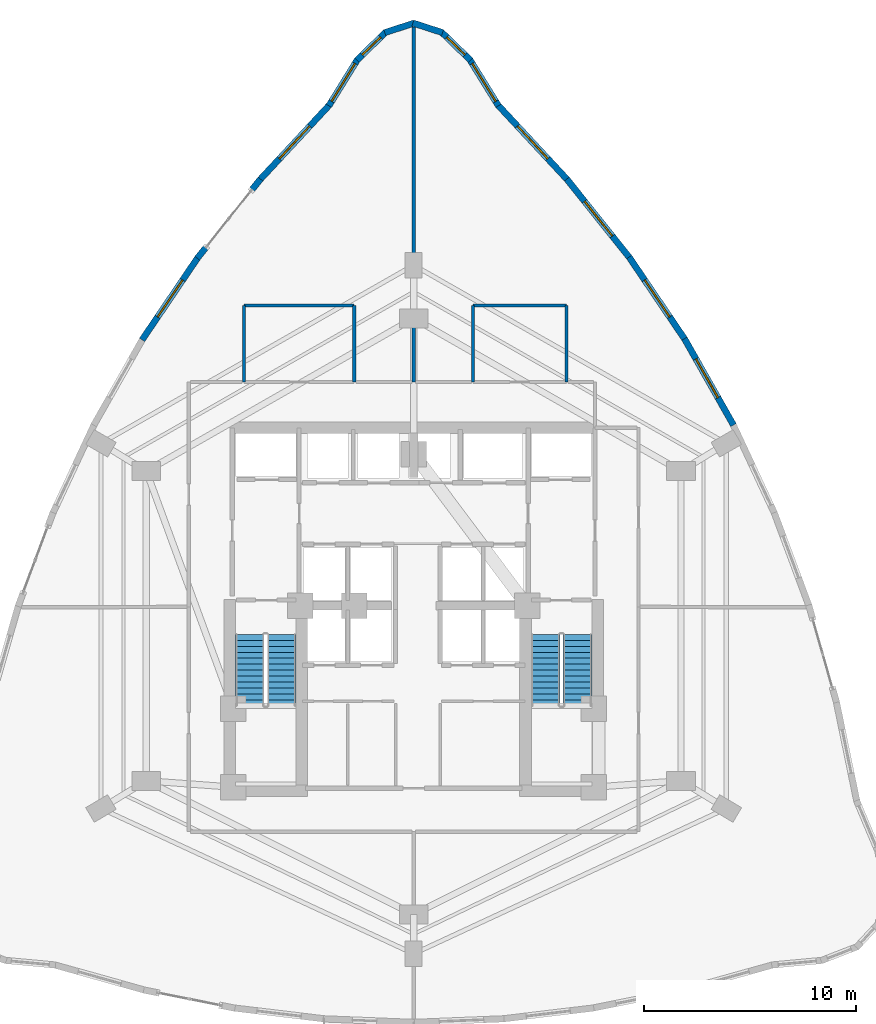
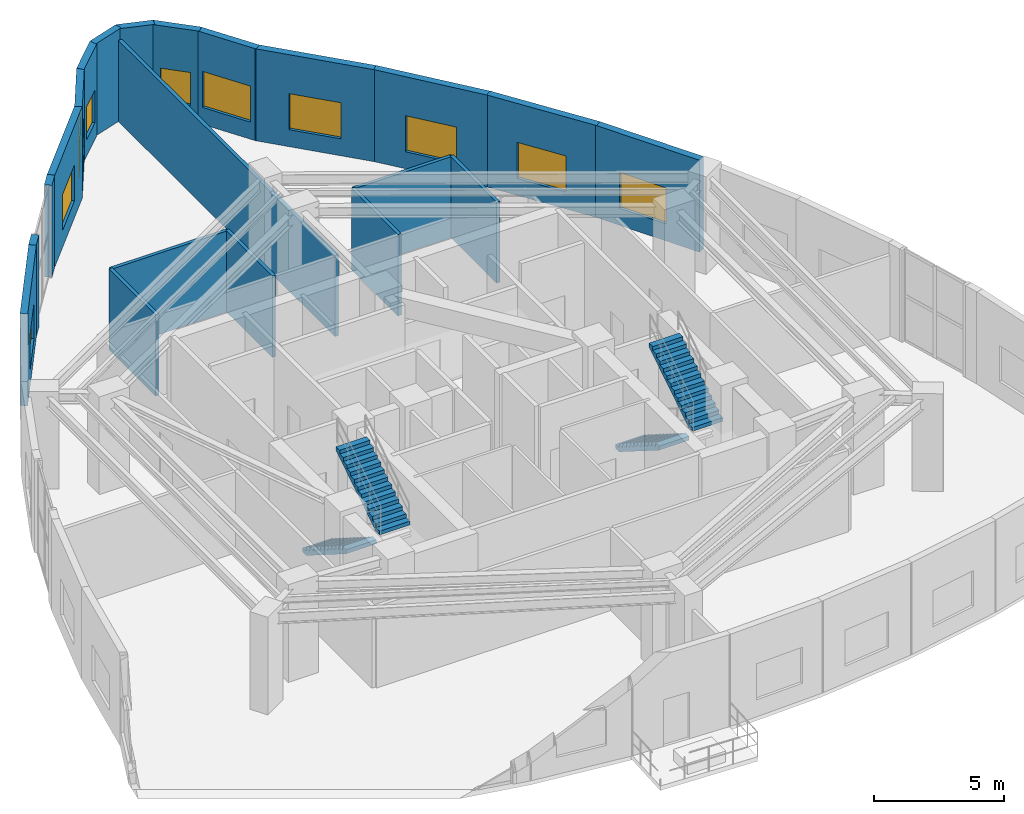
# One storey, part 16 of 17: 21 walls, 10 windows, 4 stair flights, 10 openings, 2 elements without a shape of their own.
"""IFC4 building model written with IfcOpenShell, lengths in metres."""

from ifc_helpers import new_model, si_unit, direction, frame, frame_2d, origin, place, context, subcontext, project, spatial, polyline, rectangle, outline, extrude, material, layer, layer_set, type_object, element, fill, aggregate, save


model = new_model("IFC4")

# Units and contexts
model_context = context("Model", 3, precision=1e-05, world=origin(), true_north=direction((0.0, 1.0)))
body_context = subcontext(model_context, "Body", "Model", "MODEL_VIEW")
ifc_project = project(units=[si_unit("LENGTHUNIT", "METRE"), si_unit("AREAUNIT", "SQUARE_METRE"), si_unit("VOLUMEUNIT", "CUBIC_METRE"), si_unit("PLANEANGLEUNIT", "RADIAN"), si_unit("MASSUNIT", "GRAM", prefix="KILO")], contexts=[model_context])

# Site, building, storey
site_placement = place(None, origin())
site = spatial("IfcSite", under=ifc_project, at=site_placement, CompositionType="ELEMENT")
building_placement = place(site_placement, origin())
building = spatial("IfcBuilding", under=site, at=building_placement, Name="Miruveldt Soraemaru", CompositionType="ELEMENT")
storey_placement = place(building_placement, frame((0.0, 0.0, 95.800048828125)))
storey = spatial("IfcBuildingStorey", under=building, at=storey_placement, Name="L26", CompositionType="ELEMENT", Elevation=95.800048828125)

# Wall, opening, window
ifc_material_1 = material(Name="Precast concrete C45/55 (45 MPa)", Category="concrete")
ifc_layer_1 = layer(ifc_material_1, 0.300048828125, Name="Precast concrete C45/55 (45 MPa)", Category="concrete")
ifc_layer_set_1 = layer_set([ifc_layer_1], Name="Precast concrete C45/55 (45 MPa)")
wall_type_1 = type_object("IfcWallType", Name="WALL-EXT-PC300", PredefinedType="SOLIDWALL", material=ifc_layer_set_1)
wall_1_placement = place(storey_placement, frame((47.99853515625, 67.6201171875, 0.0), z_axis=(0.0, 0.0, 1.0), x_axis=(-0.526056259518, 0.850449770311, 0.0)))
wall_1 = element("IfcWall", 1, at=wall_1_placement, inside=storey, type_object=wall_type_1, Name="L26 Precast Concrete Facade Wall 1", PredefinedType="SOLIDWALL", context=body_context, shape_type="SweptSolid", body=[
    extrude(rectangle(XDim=2.592041015625, YDim=0.300048828125, at=frame_2d((1.2958984375, 0.0))), origin(), (0.0, 0.0, 1.0), 4.3349609375),
])
opening_1_placement = place(wall_1_placement, frame((0.24609375, 0.0, 0.800048828125)))
opening_1 = element("IfcOpeningElement", 2, at=opening_1_placement, cuts=wall_1, Name="Opening WN-1", PredefinedType="OPENING", context=body_context, shape_type="SweptSolid", body=[
    extrude(rectangle(XDim=2.10009765625, YDim=1.699951171875, at=frame_2d((1.050048828125, 0.85009765625))), frame((0.0, 0.16015625, 0.0), z_axis=(0.0, -1.0, 0.0), x_axis=(1.0, 0.0, 0.0)), (0.0, 0.0, 1.0), 0.320068359375),
])
ifc_material_2 = material(Name="Triple low-e insulated glazing", Category="glass")
window_type_1 = type_object("IfcWindowType", Name="WIN-PUNCH-2100x1700", PartitioningType="SINGLE_PANEL", PredefinedType="WINDOW", material=ifc_material_2)
window_1_placement = place(opening_1_placement, origin())
window_1 = element("IfcWindow", 3, at=window_1_placement, inside=storey, type_object=window_type_1, Name="L26 Punched Triple-Glazed Window 01.1", OverallHeight=1.699951171875, OverallWidth=2.10009765625, PartitioningType="SINGLE_PANEL", PredefinedType="WINDOW", context=body_context, shape_type="SweptSolid", body=[
    extrude(rectangle(XDim=2.10009765625, YDim=1.699951171875, at=frame_2d((1.050048828125, 0.85009765625))), frame((0.0, 0.030029296875, 0.0), z_axis=(0.0, -1.0, 0.0), x_axis=(1.0, 0.0, 0.0)), (0.0, 0.0, 1.0), 0.06005859375),
])
fill(opening_1, window_1)

wall_2_placement = place(storey_placement, frame((46.678466796875, 69.770263671875, 0.0), z_axis=(0.0, 0.0, 1.0), x_axis=(-0.717842565149, 0.696205466554, 0.0)))
wall_2 = element("IfcWall", 4, at=wall_2_placement, inside=storey, type_object=wall_type_1, Name="L26 Precast Concrete Facade Wall 2", PredefinedType="SOLIDWALL", context=body_context, shape_type="SweptSolid", body=[
    extrude(rectangle(XDim=1.918212890625, YDim=0.300048828125, at=frame_2d((0.958984375, 0.0))), origin(), (0.0, 0.0, 1.0), 4.3349609375),
])
opening_2_placement = place(wall_2_placement, frame((0.35888671875, 0.0, 0.780029296875)))
opening_2 = element("IfcOpeningElement", 5, at=opening_2_placement, cuts=wall_2, Name="Opening WN-4", PredefinedType="OPENING", context=body_context, shape_type="SweptSolid", body=[
    extrude(rectangle(XDim=1.199951171875, YDim=1.550048828125, at=frame_2d((0.60009765625, 0.77490234375))), frame((0.0, 0.16015625, 0.0), z_axis=(0.0, -1.0, 0.0), x_axis=(1.0, 0.0, 0.0)), (0.0, 0.0, 1.0), 0.320068359375),
])
window_type_2 = type_object("IfcWindowType", Name="WIN-PUNCH-1200x1550", PartitioningType="SINGLE_PANEL", PredefinedType="WINDOW", material=ifc_material_2)
window_2_placement = place(opening_2_placement, origin())
window_2 = element("IfcWindow", 6, at=window_2_placement, inside=storey, type_object=window_type_2, Name="L26 Punched Triple-Glazed Window 02.1", OverallHeight=1.550048828125, OverallWidth=1.199951171875, PartitioningType="SINGLE_PANEL", PredefinedType="WINDOW", context=body_context, shape_type="SweptSolid", body=[
    extrude(rectangle(XDim=1.199951171875, YDim=1.550048828125, at=frame_2d((0.60009765625, 0.77490234375))), frame((0.0, 0.030029296875, 0.0), z_axis=(0.0, -1.0, 0.0), x_axis=(1.0, 0.0, 0.0)), (0.0, 0.0, 1.0), 0.06005859375),
])
fill(opening_2, window_2)

# Walls
for number, where, z_axis, x_axis, name in (
    (7, (45.360107421875, 71.070556640625, 0.0), (0.0, 0.0, 1.0), (-0.951463186157, 0.307762579577, 0.0), "L26 Precast Concrete Facade Wall 3"),
    (8, (44.033203125, 71.521240234375, 0.0), (0.0, 0.0, 1.0), (-0.951463186157, -0.307762579577, 0.0), "L26 Precast Concrete Facade Wall 4"),
):
    element("IfcWall", number, at=place(storey_placement, frame(where, z_axis=z_axis, x_axis=x_axis)), inside=storey, type_object=wall_type_1, Name=name, PredefinedType="SOLIDWALL", context=body_context, shape_type="SweptSolid", body=[
        extrude(rectangle(XDim=1.46435546875, YDim=0.300048828125, at=frame_2d((0.732177734375, 0.0))), origin(), (0.0, 0.0, 1.0), 4.3349609375),
    ])

# Wall, opening, window
wall_3_placement = place(storey_placement, frame((42.698486328125, 71.105712890625, 0.0), z_axis=(0.0, 0.0, 1.0), x_axis=(-0.717842565149, -0.696205466554, 0.0)))
wall_3 = element("IfcWall", 9, at=wall_3_placement, inside=storey, type_object=wall_type_1, Name="L26 Precast Concrete Facade Wall 5", PredefinedType="SOLIDWALL", context=body_context, shape_type="SweptSolid", body=[
    extrude(rectangle(XDim=1.918212890625, YDim=0.300048828125, at=frame_2d((0.958984375, 0.0))), origin(), (0.0, 0.0, 1.0), 4.3349609375),
])
opening_3_placement = place(wall_3_placement, frame((0.35888671875, 0.0, 0.780029296875)))
opening_3 = element("IfcOpeningElement", 10, at=opening_3_placement, cuts=wall_3, Name="Opening WN-4", PredefinedType="OPENING", context=body_context, shape_type="SweptSolid", body=[
    extrude(rectangle(XDim=1.199951171875, YDim=1.550048828125, at=frame_2d((0.60009765625, 0.77490234375))), frame((0.0, 0.16015625, 0.0), z_axis=(0.0, -1.0, 0.0), x_axis=(1.0, 0.0, 0.0)), (0.0, 0.0, 1.0), 0.320068359375),
])
window_3_placement = place(opening_3_placement, origin())
window_3 = element("IfcWindow", 11, at=window_3_placement, inside=storey, type_object=window_type_2, Name="L26 Punched Triple-Glazed Window 05.1", OverallHeight=1.550048828125, OverallWidth=1.199951171875, PartitioningType="SINGLE_PANEL", PredefinedType="WINDOW", context=body_context, shape_type="SweptSolid", body=[
    extrude(rectangle(XDim=1.199951171875, YDim=1.550048828125, at=frame_2d((0.60009765625, 0.77490234375))), frame((0.0, 0.030029296875, 0.0), z_axis=(0.0, -1.0, 0.0), x_axis=(1.0, 0.0, 0.0)), (0.0, 0.0, 1.0), 0.06005859375),
])
fill(opening_3, window_3)

wall_4_placement = place(storey_placement, frame((41.364990234375, 69.824462890625, 0.0), z_axis=(0.0, 0.0, 1.0), x_axis=(-0.526056259518, -0.850449770311, 0.0)))
wall_4 = element("IfcWall", 12, at=wall_4_placement, inside=storey, type_object=wall_type_1, Name="L26 Precast Concrete Facade Wall 6", PredefinedType="SOLIDWALL", context=body_context, shape_type="SweptSolid", body=[
    extrude(rectangle(XDim=2.592041015625, YDim=0.300048828125, at=frame_2d((1.2958984375, 0.0))), origin(), (0.0, 0.0, 1.0), 4.3349609375),
])
opening_4_placement = place(wall_4_placement, frame((0.24609375, 0.0, 0.800048828125)))
opening_4 = element("IfcOpeningElement", 13, at=opening_4_placement, cuts=wall_4, Name="Opening WN-1", PredefinedType="OPENING", context=body_context, shape_type="SweptSolid", body=[
    extrude(rectangle(XDim=2.10009765625, YDim=1.699951171875, at=frame_2d((1.050048828125, 0.85009765625))), frame((0.0, 0.16015625, 0.0), z_axis=(0.0, -1.0, 0.0), x_axis=(1.0, 0.0, 0.0)), (0.0, 0.0, 1.0), 0.320068359375),
])
window_4_placement = place(opening_4_placement, origin())
window_4 = element("IfcWindow", 14, at=window_4_placement, inside=storey, type_object=window_type_1, Name="L26 Punched Triple-Glazed Window 06.1", OverallHeight=1.699951171875, OverallWidth=2.10009765625, PartitioningType="SINGLE_PANEL", PredefinedType="WINDOW", context=body_context, shape_type="SweptSolid", body=[
    extrude(rectangle(XDim=2.10009765625, YDim=1.699951171875, at=frame_2d((1.050048828125, 0.85009765625))), frame((0.0, 0.030029296875, 0.0), z_axis=(0.0, -1.0, 0.0), x_axis=(1.0, 0.0, 0.0)), (0.0, 0.0, 1.0), 0.06005859375),
])
fill(opening_4, window_4)

wall_5_placement = place(storey_placement, frame((40.043701171875, 67.675537109375, 0.0), z_axis=(0.0, 0.0, 1.0), x_axis=(-0.680878544564, -0.732396345944, 0.0)))
wall_5 = element("IfcWall", 15, at=wall_5_placement, inside=storey, type_object=wall_type_1, Name="L26 Precast Concrete Facade Wall 7", PredefinedType="SOLIDWALL", context=body_context, shape_type="SweptSolid", body=[
    extrude(rectangle(XDim=4.862060546875, YDim=0.300048828125, at=frame_2d((2.43115234375, 0.0))), origin(), (0.0, 0.0, 1.0), 4.3349609375),
])
opening_5_placement = place(wall_5_placement, frame((1.381103515625, 0.0, 0.800048828125)))
opening_5 = element("IfcOpeningElement", 16, at=opening_5_placement, cuts=wall_5, Name="Opening WN-1", PredefinedType="OPENING", context=body_context, shape_type="SweptSolid", body=[
    extrude(rectangle(XDim=2.10009765625, YDim=1.699951171875, at=frame_2d((1.050048828125, 0.85009765625))), frame((0.0, 0.16015625, 0.0), z_axis=(0.0, -1.0, 0.0), x_axis=(1.0, 0.0, 0.0)), (0.0, 0.0, 1.0), 0.320068359375),
])
window_5_placement = place(opening_5_placement, origin())
window_5 = element("IfcWindow", 17, at=window_5_placement, inside=storey, type_object=window_type_1, Name="L26 Punched Triple-Glazed Window 07.1", OverallHeight=1.699951171875, OverallWidth=2.10009765625, PartitioningType="SINGLE_PANEL", PredefinedType="WINDOW", context=body_context, shape_type="SweptSolid", body=[
    extrude(rectangle(XDim=2.10009765625, YDim=1.699951171875, at=frame_2d((1.050048828125, 0.85009765625))), frame((0.0, 0.030029296875, 0.0), z_axis=(0.0, -1.0, 0.0), x_axis=(1.0, 0.0, 0.0)), (0.0, 0.0, 1.0), 0.06005859375),
])
fill(opening_5, window_5)

# Walls
for number, where, z_axis, x_axis, name in (
    (18, (36.77880859375, 64.16748046875, 0.0), (0.0, 0.0, 1.0), (-0.623554366926, -0.781779989183, 0.0), "L26 Precast Pier Left 8"),
    (19, (34.239990234375, 60.985107421875, 0.0), (0.0, 0.0, 1.0), (-0.623554366926, -0.781779989183, 0.0), "L26 Precast Pier Right 8"),
):
    element("IfcWall", number, at=place(storey_placement, frame(where, z_axis=z_axis, x_axis=x_axis)), inside=storey, type_object=wall_type_1, Name=name, PredefinedType="SOLIDWALL", context=body_context, shape_type="SweptSolid", body=[
        extrude(rectangle(XDim=0.705078125, YDim=0.300048828125, at=frame_2d((0.3525390625, 0.0))), origin(), (0.0, 0.0, 1.0), 4.3349609375),
    ])

# Wall, opening, window
wall_6_placement = place(storey_placement, frame((33.841796875, 60.490234375, 0.0), z_axis=(0.0, 0.0, 1.0), x_axis=(-0.560847000951, -0.827919465603, 0.0)))
wall_6 = element("IfcWall", 20, at=wall_6_placement, inside=storey, type_object=wall_type_1, Name="L26 Precast Concrete Facade Wall 9", PredefinedType="SOLIDWALL", context=body_context, shape_type="SweptSolid", body=[
    extrude(rectangle(XDim=4.7177734375, YDim=0.300048828125, at=frame_2d((2.35888671875, 0.0))), origin(), (0.0, 0.0, 1.0), 4.3349609375),
])
opening_6_placement = place(wall_6_placement, frame((1.30908203125, 0.0, 0.800048828125)))
opening_6 = element("IfcOpeningElement", 21, at=opening_6_placement, cuts=wall_6, Name="Opening WN-1", PredefinedType="OPENING", context=body_context, shape_type="SweptSolid", body=[
    extrude(rectangle(XDim=2.10009765625, YDim=1.699951171875, at=frame_2d((1.050048828125, 0.85009765625))), frame((0.0, 0.16015625, 0.0), z_axis=(0.0, -1.0, 0.0), x_axis=(1.0, 0.0, 0.0)), (0.0, 0.0, 1.0), 0.320068359375),
])
window_6_placement = place(opening_6_placement, origin())
window_6 = element("IfcWindow", 22, at=window_6_placement, inside=storey, type_object=window_type_1, Name="L26 Punched Triple-Glazed Window 09.1", OverallHeight=1.699951171875, OverallWidth=2.10009765625, PartitioningType="SINGLE_PANEL", PredefinedType="WINDOW", context=body_context, shape_type="SweptSolid", body=[
    extrude(rectangle(XDim=2.10009765625, YDim=1.699951171875, at=frame_2d((1.050048828125, 0.85009765625))), frame((0.0, 0.030029296875, 0.0), z_axis=(0.0, -1.0, 0.0), x_axis=(1.0, 0.0, 0.0)), (0.0, 0.0, 1.0), 0.06005859375),
])
fill(opening_6, window_6)

wall_7_placement = place(storey_placement, frame((59.080322265625, 52.565673828125, 0.0), z_axis=(0.0, 0.0, 1.0), x_axis=(-0.493405379401, 0.869799477798, 0.0)))
wall_7 = element("IfcWall", 23, at=wall_7_placement, inside=storey, type_object=wall_type_1, Name="L26 Precast Concrete Facade Wall 39", PredefinedType="SOLIDWALL", context=body_context, shape_type="SweptSolid", body=[
    extrude(rectangle(XDim=4.688232421875, YDim=0.300048828125, at=frame_2d((2.34423828125, 0.0))), origin(), (0.0, 0.0, 1.0), 4.3349609375),
])
opening_7_placement = place(wall_7_placement, frame((1.488037109375, 0.0, 0.800048828125)))
opening_7 = element("IfcOpeningElement", 24, at=opening_7_placement, cuts=wall_7, Name="Opening WN-1", PredefinedType="OPENING", context=body_context, shape_type="SweptSolid", body=[
    extrude(rectangle(XDim=2.10009765625, YDim=1.699951171875, at=frame_2d((1.050048828125, 0.85009765625))), frame((0.0, 0.16015625, 0.0), z_axis=(0.0, -1.0, 0.0), x_axis=(1.0, 0.0, 0.0)), (0.0, 0.0, 1.0), 0.320068359375),
])
window_7_placement = place(opening_7_placement, origin())
window_7 = element("IfcWindow", 25, at=window_7_placement, inside=storey, type_object=window_type_1, Name="L26 Punched Triple-Glazed Window 39.1", OverallHeight=1.699951171875, OverallWidth=2.10009765625, PartitioningType="SINGLE_PANEL", PredefinedType="WINDOW", context=body_context, shape_type="SweptSolid", body=[
    extrude(rectangle(XDim=2.10009765625, YDim=1.699951171875, at=frame_2d((1.050048828125, 0.85009765625))), frame((0.0, 0.030029296875, 0.0), z_axis=(0.0, -1.0, 0.0), x_axis=(1.0, 0.0, 0.0)), (0.0, 0.0, 1.0), 0.06005859375),
])
fill(opening_7, window_7)

wall_8_placement = place(storey_placement, frame((56.80419921875, 56.584228515625, 0.0), z_axis=(0.0, 0.0, 1.0), x_axis=(-0.560847000951, 0.827919465603, 0.0)))
wall_8 = element("IfcWall", 26, at=wall_8_placement, inside=storey, type_object=wall_type_1, Name="L26 Precast Concrete Facade Wall 40", PredefinedType="SOLIDWALL", context=body_context, shape_type="SweptSolid", body=[
    extrude(rectangle(XDim=4.7177734375, YDim=0.300048828125, at=frame_2d((2.35888671875, 0.0))), origin(), (0.0, 0.0, 1.0), 4.3349609375),
])
opening_8_placement = place(wall_8_placement, frame((1.30908203125, 0.0, 0.800048828125)))
opening_8 = element("IfcOpeningElement", 27, at=opening_8_placement, cuts=wall_8, Name="Opening WN-1", PredefinedType="OPENING", context=body_context, shape_type="SweptSolid", body=[
    extrude(rectangle(XDim=2.10009765625, YDim=1.699951171875, at=frame_2d((1.050048828125, 0.85009765625))), frame((0.0, 0.16015625, 0.0), z_axis=(0.0, -1.0, 0.0), x_axis=(1.0, 0.0, 0.0)), (0.0, 0.0, 1.0), 0.320068359375),
])
window_8_placement = place(opening_8_placement, origin())
window_8 = element("IfcWindow", 28, at=window_8_placement, inside=storey, type_object=window_type_1, Name="L26 Punched Triple-Glazed Window 40.1", OverallHeight=1.699951171875, OverallWidth=2.10009765625, PartitioningType="SINGLE_PANEL", PredefinedType="WINDOW", context=body_context, shape_type="SweptSolid", body=[
    extrude(rectangle(XDim=2.10009765625, YDim=1.699951171875, at=frame_2d((1.050048828125, 0.85009765625))), frame((0.0, 0.030029296875, 0.0), z_axis=(0.0, -1.0, 0.0), x_axis=(1.0, 0.0, 0.0)), (0.0, 0.0, 1.0), 0.06005859375),
])
fill(opening_8, window_8)

wall_9_placement = place(storey_placement, frame((54.19970703125, 60.433837890625, 0.0), z_axis=(0.0, 0.0, 1.0), x_axis=(-0.623622257262, 0.781725834451, 0.0)))
wall_9 = element("IfcWall", 29, at=wall_9_placement, inside=storey, type_object=wall_type_1, Name="L26 Precast Concrete Facade Wall 41", PredefinedType="SOLIDWALL", context=body_context, shape_type="SweptSolid", body=[
    extrude(rectangle(XDim=4.776123046875, YDim=0.300048828125, at=frame_2d((2.38818359375, 0.0))), origin(), (0.0, 0.0, 1.0), 4.3349609375),
])
opening_9_placement = place(wall_9_placement, frame((1.337890625, 0.0, 0.800048828125)))
opening_9 = element("IfcOpeningElement", 30, at=opening_9_placement, cuts=wall_9, Name="Opening WN-1", PredefinedType="OPENING", context=body_context, shape_type="SweptSolid", body=[
    extrude(rectangle(XDim=2.10009765625, YDim=1.699951171875, at=frame_2d((1.050048828125, 0.85009765625))), frame((0.0, 0.16015625, 0.0), z_axis=(0.0, -1.0, 0.0), x_axis=(1.0, 0.0, 0.0)), (0.0, 0.0, 1.0), 0.320068359375),
])
window_9_placement = place(opening_9_placement, origin())
window_9 = element("IfcWindow", 31, at=window_9_placement, inside=storey, type_object=window_type_1, Name="L26 Punched Triple-Glazed Window 41.1", OverallHeight=1.699951171875, OverallWidth=2.10009765625, PartitioningType="SINGLE_PANEL", PredefinedType="WINDOW", context=body_context, shape_type="SweptSolid", body=[
    extrude(rectangle(XDim=2.10009765625, YDim=1.699951171875, at=frame_2d((1.050048828125, 0.85009765625))), frame((0.0, 0.030029296875, 0.0), z_axis=(0.0, -1.0, 0.0), x_axis=(1.0, 0.0, 0.0)), (0.0, 0.0, 1.0), 0.06005859375),
])
fill(opening_9, window_9)

wall_10_placement = place(storey_placement, frame((51.266845703125, 64.114501953125, 0.0), z_axis=(0.0, 0.0, 1.0), x_axis=(-0.680878544564, 0.732396345944, 0.0)))
wall_10 = element("IfcWall", 32, at=wall_10_placement, inside=storey, type_object=wall_type_1, Name="L26 Precast Concrete Facade Wall 42", PredefinedType="SOLIDWALL", context=body_context, shape_type="SweptSolid", body=[
    extrude(rectangle(XDim=4.862060546875, YDim=0.300048828125, at=frame_2d((2.43115234375, 0.0))), origin(), (0.0, 0.0, 1.0), 4.3349609375),
])
opening_10_placement = place(wall_10_placement, frame((1.381103515625, 0.0, 0.800048828125)))
opening_10 = element("IfcOpeningElement", 33, at=opening_10_placement, cuts=wall_10, Name="Opening WN-1", PredefinedType="OPENING", context=body_context, shape_type="SweptSolid", body=[
    extrude(rectangle(XDim=2.10009765625, YDim=1.699951171875, at=frame_2d((1.050048828125, 0.85009765625))), frame((0.0, 0.16015625, 0.0), z_axis=(0.0, -1.0, 0.0), x_axis=(1.0, 0.0, 0.0)), (0.0, 0.0, 1.0), 0.320068359375),
])
window_10_placement = place(opening_10_placement, origin())
window_10 = element("IfcWindow", 34, at=window_10_placement, inside=storey, type_object=window_type_1, Name="L26 Punched Triple-Glazed Window 42.1", OverallHeight=1.699951171875, OverallWidth=2.10009765625, PartitioningType="SINGLE_PANEL", PredefinedType="WINDOW", context=body_context, shape_type="SweptSolid", body=[
    extrude(rectangle(XDim=2.10009765625, YDim=1.699951171875, at=frame_2d((1.050048828125, 0.85009765625))), frame((0.0, 0.030029296875, 0.0), z_axis=(0.0, -1.0, 0.0), x_axis=(1.0, 0.0, 0.0)), (0.0, 0.0, 1.0), 0.06005859375),
])
fill(opening_10, window_10)

# Walls
ifc_material_3 = material(Name="Gypsum plasterboard lining", Category="gypsum")
ifc_layer_2 = layer(ifc_material_3, 0.14990234375, Name="Gypsum plasterboard lining", Category="gypsum")
ifc_layer_set_2 = layer_set([ifc_layer_2], Name="Gypsum plasterboard lining")
wall_type_2 = type_object("IfcWallType", Name="WALL-INT-PLUMB", PredefinedType="PLUMBINGWALL", material=ifc_layer_set_2)
wall_11_placement = place(storey_placement, frame((41.199951171875, 58.199951171875, 0.0), z_axis=(0.0, 0.0, 1.0), x_axis=(-1.0, 0.0, 0.0)))
element("IfcWall", 35, at=wall_11_placement, inside=storey, type_object=wall_type_2, Name="L26 Partition Wall 16", PredefinedType="PLUMBINGWALL", context=body_context, shape_type="SweptSolid", body=[
    extrude(rectangle(XDim=5.199951171875, YDim=0.14990234375, at=frame_2d((2.60009765625, 0.0))), origin(), (0.0, 0.0, 1.0), 3.822998046875),
])
wall_12_placement = place(storey_placement, frame((51.199951171875, 58.199951171875, 0.0), z_axis=(0.0, 0.0, 1.0), x_axis=(-1.0, 0.0, 0.0)))
element("IfcWall", 36, at=wall_12_placement, inside=storey, type_object=wall_type_2, Name="L26 Partition Wall 19", PredefinedType="PLUMBINGWALL", context=body_context, shape_type="SweptSolid", body=[
    extrude(rectangle(XDim=4.39990234375, YDim=0.14990234375, at=frame_2d((2.199951171875, 0.0))), origin(), (0.0, 0.0, 1.0), 3.822998046875),
])
wall_13_placement = place(storey_placement, frame((41.199951171875, 54.60009765625, 0.0), z_axis=(0.0, 0.0, 1.0), x_axis=(0.0, 1.0, 0.0)))
element("IfcWall", 37, at=wall_13_placement, inside=storey, type_object=wall_type_2, Name="L26 Partition Wall 15", PredefinedType="PLUMBINGWALL", context=body_context, shape_type="SweptSolid", body=[
    extrude(rectangle(XDim=3.599853515625, YDim=0.14990234375, at=frame_2d((1.7998046875, 0.0))), origin(), (0.0, 0.0, 1.0), 3.8349609375),
])
for number, where, z_axis, x_axis, name in (
    (38, (36.0, 58.199951171875, 0.0), (0.0, 0.0, 1.0), (0.0, -1.0, 0.0), "L26 Partition Wall 17"),
    (39, (51.199951171875, 54.60009765625, 0.0), (0.0, 0.0, 1.0), (0.0, 1.0, 0.0), "L26 Partition Wall 18"),
):
    element("IfcWall", number, at=place(storey_placement, frame(where, z_axis=z_axis, x_axis=x_axis)), inside=storey, type_object=wall_type_2, Name=name, PredefinedType="PLUMBINGWALL", context=body_context, shape_type="SweptSolid", body=[
        extrude(rectangle(XDim=3.599853515625, YDim=0.14990234375, at=frame_2d((1.7998046875, 0.0))), origin(), (0.0, 0.0, 1.0), 3.822998046875),
    ])
wall_14_placement = place(storey_placement, frame((46.800048828125, 58.199951171875, 0.0), z_axis=(0.0, 0.0, 1.0), x_axis=(0.0, -1.0, 0.0)))
element("IfcWall", 40, at=wall_14_placement, inside=storey, type_object=wall_type_2, Name="L26 Partition Wall 20", PredefinedType="PLUMBINGWALL", context=body_context, shape_type="SweptSolid", body=[
    extrude(rectangle(XDim=3.599853515625, YDim=0.14990234375, at=frame_2d((1.7998046875, 0.0))), origin(), (0.0, 0.0, 1.0), 3.8349609375),
])
ifc_material_4 = material(Name="Concrete C40/50 (40 MPa)", Category="concrete")
ifc_layer_3 = layer(ifc_material_4, 0.159912109375, Name="Concrete C40/50 (40 MPa)", Category="concrete")
ifc_layer_set_3 = layer_set([ifc_layer_3], Name="Concrete C40/50 (40 MPa)")
wall_type_3 = type_object("IfcWallType", Name="WALL-INT-RC160", PredefinedType="SOLIDWALL", material=ifc_layer_set_3)
wall_15_placement = place(storey_placement, frame((44.0, 54.60009765625, 0.0), z_axis=(0.0, 0.0, 1.0), x_axis=(0.0, 1.0, 0.0)))
element("IfcWall", 41, at=wall_15_placement, inside=storey, type_object=wall_type_3, Name="L26 Partition Wall 24", PredefinedType="SOLIDWALL", context=body_context, shape_type="SweptSolid", body=[
    extrude(rectangle(XDim=16.73681640625, YDim=0.159912109375, at=frame_2d((8.368408203125, 0.0))), origin(), (0.0, 0.0, 1.0), 3.822998046875),
])

# Stair, stair flights
stair_type = type_object("IfcStairType", Name="STAIR-DL-460", PredefinedType="HALF_TURN_STAIR", material=ifc_material_4)
stair_1_placement = place(storey_placement, origin())
stair_1 = element("IfcStair", 42, at=stair_1_placement, inside=storey, type_object=stair_type, Name="L26 Protected Exit Stair ST-1", PredefinedType="HALF_TURN_STAIR")
stair_flight_type = type_object("IfcStairFlightType", Name="SFL-DL-460", PredefinedType="STRAIGHT", material=ifc_material_4)
stair_flight_1_placement = place(storey_placement, frame((36.27490234375, 42.699951171875, 0.0), z_axis=(0.0, 0.0, 1.0), x_axis=(0.0, -1.0, 0.0)))
stair_flight_1 = element("IfcStairFlight", 43, at=stair_flight_1_placement, type_object=stair_flight_type, Name="ST-1 flight 1", NumberOfRisers=13, NumberOfTreads=12, PredefinedType="STRAIGHT", RiserHeight=0.176923077, TreadLength=0.28, context=body_context, shape_type="SweptSolid", body=[
    extrude(outline(polyline([(0.0, 0.0), (0.0, 0.177001953125), (0.280029296875, 0.177001953125), (0.280029296875, 0.353759765625), (0.56005859375, 0.353759765625), (0.56005859375, 0.53076171875), (0.840087890625, 0.53076171875), (0.840087890625, 0.707763671875), (1.1201171875, 0.707763671875), (1.1201171875, 0.884521484375), (1.39990234375, 0.884521484375), (1.39990234375, 1.0615234375), (1.679931640625, 1.0615234375), (1.679931640625, 1.238525390625), (1.9599609375, 1.238525390625), (1.9599609375, 1.415283203125), (2.239990234375, 1.415283203125), (2.239990234375, 1.59228515625), (2.52001953125, 1.59228515625), (2.52001953125, 1.769287109375), (2.800048828125, 1.769287109375), (2.800048828125, 1.946044921875), (3.080078125, 1.946044921875), (3.080078125, 2.123046875), (3.360107421875, 2.123046875), (3.360107421875, 2.300048828125), (3.360107421875, 1.933837890625), (0.29931640625, 0.0), (0.0, 0.0)])), frame((0.0, 0.675048828125, 0.0), z_axis=(0.0, -1.0, 0.0), x_axis=(1.0, 0.0, 0.0)), (0.0, 0.0, 1.0), 1.35009765625),
])
stair_flight_2_placement = place(storey_placement, frame((37.77490234375, 39.340087890625, 2.300048828125), z_axis=(0.0, 0.0, 1.0), x_axis=(0.0, 1.0, 0.0)))
stair_flight_2 = element("IfcStairFlight", 44, at=stair_flight_2_placement, type_object=stair_flight_type, Name="ST-1 flight 2", NumberOfRisers=13, NumberOfTreads=12, PredefinedType="STRAIGHT", RiserHeight=0.176923077, TreadLength=0.28, context=body_context, shape_type="SweptSolid", body=[
    extrude(outline(polyline([(0.0, 0.0), (0.0, 0.177001953125), (0.280029296875, 0.177001953125), (0.280029296875, 0.353759765625), (0.56005859375, 0.353759765625), (0.56005859375, 0.53076171875), (0.840087890625, 0.53076171875), (0.840087890625, 0.707763671875), (1.1201171875, 0.707763671875), (1.1201171875, 0.884521484375), (1.39990234375, 0.884521484375), (1.39990234375, 1.0615234375), (1.679931640625, 1.0615234375), (1.679931640625, 1.238525390625), (1.9599609375, 1.238525390625), (1.9599609375, 1.415283203125), (2.239990234375, 1.415283203125), (2.239990234375, 1.59228515625), (2.52001953125, 1.59228515625), (2.52001953125, 1.769287109375), (2.800048828125, 1.769287109375), (2.800048828125, 1.946044921875), (3.080078125, 1.946044921875), (3.080078125, 2.123046875), (3.360107421875, 2.123046875), (3.360107421875, 2.300048828125), (3.360107421875, 1.933837890625), (0.29931640625, 0.0), (0.0, 0.0)])), frame((0.0, 0.675048828125, 0.0), z_axis=(0.0, -1.0, 0.0), x_axis=(1.0, 0.0, 0.0)), (0.0, 0.0, 1.0), 1.35009765625),
])
aggregate(stair_1, [stair_flight_1, stair_flight_2])

stair_2_placement = place(storey_placement, origin())
stair_2 = element("IfcStair", 45, at=stair_2_placement, inside=storey, type_object=stair_type, Name="L26 Protected Exit Stair ST-2", PredefinedType="HALF_TURN_STAIR")
stair_flight_3_placement = place(storey_placement, frame((50.22509765625, 42.699951171875, 0.0), z_axis=(0.0, 0.0, 1.0), x_axis=(0.0, -1.0, 0.0)))
stair_flight_3 = element("IfcStairFlight", 46, at=stair_flight_3_placement, type_object=stair_flight_type, Name="ST-2 flight 1", NumberOfRisers=13, NumberOfTreads=12, PredefinedType="STRAIGHT", RiserHeight=0.176923077, TreadLength=0.28, context=body_context, shape_type="SweptSolid", body=[
    extrude(outline(polyline([(0.0, 0.0), (0.0, 0.177001953125), (0.280029296875, 0.177001953125), (0.280029296875, 0.353759765625), (0.56005859375, 0.353759765625), (0.56005859375, 0.53076171875), (0.840087890625, 0.53076171875), (0.840087890625, 0.707763671875), (1.1201171875, 0.707763671875), (1.1201171875, 0.884521484375), (1.39990234375, 0.884521484375), (1.39990234375, 1.0615234375), (1.679931640625, 1.0615234375), (1.679931640625, 1.238525390625), (1.9599609375, 1.238525390625), (1.9599609375, 1.415283203125), (2.239990234375, 1.415283203125), (2.239990234375, 1.59228515625), (2.52001953125, 1.59228515625), (2.52001953125, 1.769287109375), (2.800048828125, 1.769287109375), (2.800048828125, 1.946044921875), (3.080078125, 1.946044921875), (3.080078125, 2.123046875), (3.360107421875, 2.123046875), (3.360107421875, 2.300048828125), (3.360107421875, 1.933837890625), (0.29931640625, 0.0), (0.0, 0.0)])), frame((0.0, 0.675048828125, 0.0), z_axis=(0.0, -1.0, 0.0), x_axis=(1.0, 0.0, 0.0)), (0.0, 0.0, 1.0), 1.35009765625),
])
stair_flight_4_placement = place(storey_placement, frame((51.72509765625, 39.340087890625, 2.300048828125), z_axis=(0.0, 0.0, 1.0), x_axis=(0.0, 1.0, 0.0)))
stair_flight_4 = element("IfcStairFlight", 47, at=stair_flight_4_placement, type_object=stair_flight_type, Name="ST-2 flight 2", NumberOfRisers=13, NumberOfTreads=12, PredefinedType="STRAIGHT", RiserHeight=0.176923077, TreadLength=0.28, context=body_context, shape_type="SweptSolid", body=[
    extrude(outline(polyline([(0.0, 0.0), (0.0, 0.177001953125), (0.280029296875, 0.177001953125), (0.280029296875, 0.353759765625), (0.56005859375, 0.353759765625), (0.56005859375, 0.53076171875), (0.840087890625, 0.53076171875), (0.840087890625, 0.707763671875), (1.1201171875, 0.707763671875), (1.1201171875, 0.884521484375), (1.39990234375, 0.884521484375), (1.39990234375, 1.0615234375), (1.679931640625, 1.0615234375), (1.679931640625, 1.238525390625), (1.9599609375, 1.238525390625), (1.9599609375, 1.415283203125), (2.239990234375, 1.415283203125), (2.239990234375, 1.59228515625), (2.52001953125, 1.59228515625), (2.52001953125, 1.769287109375), (2.800048828125, 1.769287109375), (2.800048828125, 1.946044921875), (3.080078125, 1.946044921875), (3.080078125, 2.123046875), (3.360107421875, 2.123046875), (3.360107421875, 2.300048828125), (3.360107421875, 1.933837890625), (0.29931640625, 0.0), (0.0, 0.0)])), frame((0.0, 0.675048828125, 0.0), z_axis=(0.0, -1.0, 0.0), x_axis=(1.0, 0.0, 0.0)), (0.0, 0.0, 1.0), 1.35009765625),
])
aggregate(stair_2, [stair_flight_3, stair_flight_4])

save(model, "model.ifc")
